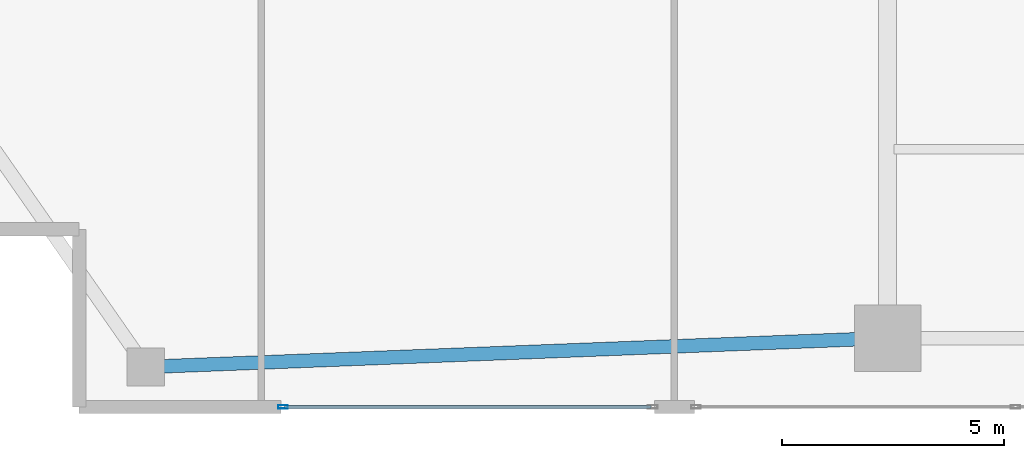
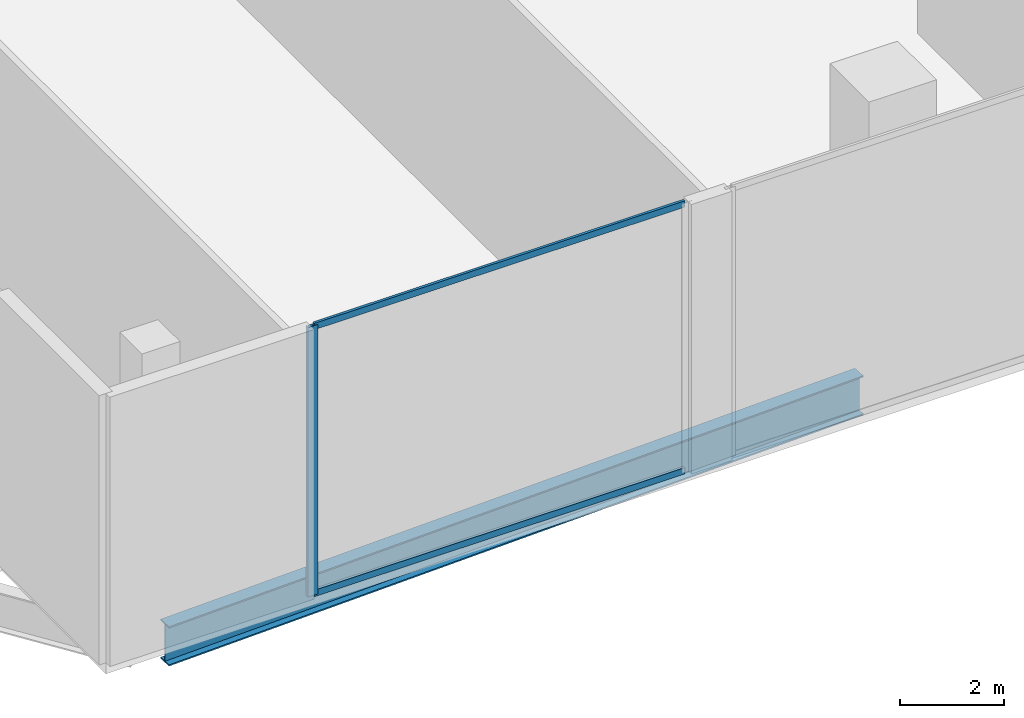
# One storey, part 2 of 30: 3 members, 1 beam, 1 element without a shape of its own.
"""IFC4 building model written with IfcOpenShell, lengths in metres."""

from ifc_helpers import new_model, si_unit, direction, frame, origin, origin_2d, place, context, subcontext, project, spatial, hollow_rectangle, i_section, extrude, material, layer, layer_set, material_profile, profile_set, type_object, element, aggregate, save


model = new_model("IFC4")

# Units and contexts
model_context = context("Model", 3, precision=1e-05, world=origin(), true_north=direction((0.0, 1.0)))
body_context = subcontext(model_context, "Body", "Model", "MODEL_VIEW")
ifc_project = project(units=[si_unit("LENGTHUNIT", "METRE"), si_unit("AREAUNIT", "SQUARE_METRE"), si_unit("VOLUMEUNIT", "CUBIC_METRE"), si_unit("PLANEANGLEUNIT", "RADIAN"), si_unit("MASSUNIT", "GRAM", prefix="KILO")], contexts=[model_context])

# Site, building, storey
site_placement = place(None, origin())
site = spatial("IfcSite", under=ifc_project, at=site_placement, CompositionType="ELEMENT")
building_placement = place(site_placement, origin())
building = spatial("IfcBuilding", under=site, at=building_placement, Name="Zuhayl Quay Hotel", CompositionType="ELEMENT")
storey_placement = place(building_placement, frame((0.0, 0.0, 11.39990234375)))
storey = spatial("IfcBuildingStorey", under=building, at=storey_placement, Name="L02", CompositionType="ELEMENT", Elevation=11.39990234375)

# Beam
ifc_material_1 = material(Name="Steel ASTM A992 Grade 50", Category="steel")
ifc_material_profile_1 = material_profile(ifc_material_1, i_section(OverallWidth=0.306884765625, OverallDepth=0.927001953125, WebThickness=0.019287109375, FlangeThickness=0.031982421875, at=origin_2d()), Name="W36X194")
ifc_profile_set_1 = profile_set([ifc_material_profile_1], Name="Steel ASTM A992 Grade 50")
beam_type = type_object("IfcBeamType", Name="BM_PG2_W36X194", PredefinedType="BEAM", material=ifc_profile_set_1)
beam_placement = place(storey_placement, frame((-30.160400390625, -23.0869140625, -0.723388671875), z_axis=(0.999243175194, 0.038898288239, 0.0), x_axis=(-0.038898288239, 0.999243175194, 0.0)))
element("IfcBeam", 1, at=beam_placement, inside=storey, type_object=beam_type, Name="L02 Floor Beam PG_S_L02_0", PredefinedType="BEAM", context=body_context, shape_type="SweptSolid", body=[
    extrude(i_section(OverallWidth=0.306884765625, OverallDepth=0.927001953125, WebThickness=0.019287109375, FlangeThickness=0.031982421875, at=origin_2d()), origin(), (0.0, 0.0, 1.0), 15.82275390625),
])

# Curtain wall, members
ifc_material_2 = material(Name="Anodised Aluminium 6063-T6", Category="aluminium")
ifc_layer = layer(ifc_material_2, 0.199951171875, Name="Anodised Aluminium 6063-T6", Category="aluminium")
ifc_layer_set = layer_set([ifc_layer], Name="Anodised Aluminium 6063-T6")
curtain_wall_type = type_object("IfcCurtainWallType", Name="CW_SYS_POD", PredefinedType="USERDEFINED", material=ifc_layer_set)
curtain_wall_placement = place(storey_placement, origin())
curtain_wall = element("IfcCurtainWall", 2, at=curtain_wall_placement, inside=storey, type_object=curtain_wall_type, Name="L02 Curtain Wall ENV_L02_E11_CW3", ObjectType="UNITISED CURTAIN WALL", PredefinedType="USERDEFINED")
ifc_material_3 = material(Name="Black-anodised aluminium 6063-T6", Category="aluminium")
ifc_material_profile_2 = material_profile(ifc_material_3, hollow_rectangle(XDim=0.074951171875, YDim=0.219970703125, WallThickness=0.00390625, at=origin_2d()), Name="ALU220X75")
ifc_profile_set_2 = profile_set([ifc_material_profile_2], Name="Black-anodised aluminium 6063-T6")
member_type_1 = type_object("IfcMemberType", Name="MB_CW_MUL_220", PredefinedType="MULLION", material=ifc_profile_set_2)
member_1_placement = place(storey_placement, frame((-27.41259765625, -24.0, 0.0), z_axis=(0.0, 0.0, 1.0), x_axis=(0.0, -1.0, 0.0)))
member_1 = element("IfcMember", 3, at=member_1_placement, type_object=member_type_1, Name="CW-POD mullion 2", PredefinedType="MULLION", context=body_context, shape_type="SweptSolid", body=[
    extrude(hollow_rectangle(XDim=0.074951171875, YDim=0.219970703125, WallThickness=0.00390625, at=origin_2d()), origin(), (0.0, 0.0, 1.0), 6.340087890625),
])
ifc_material_profile_3 = material_profile(ifc_material_3, hollow_rectangle(XDim=0.06005859375, YDim=0.14990234375, WallThickness=0.00341796875, at=origin_2d()), Name="ALU150X60")
ifc_profile_set_3 = profile_set([ifc_material_profile_3], Name="Black-anodised aluminium 6063-T6")
member_type_2 = type_object("IfcMemberType", Name="MB_CW_TRN_150", PredefinedType="USERDEFINED", material=ifc_profile_set_3)
member_2_placement = place(storey_placement, frame((-19.125, -24.0, 0.030029296875), z_axis=(-1.0, 0.0, 0.0), x_axis=(0.0, -1.0, 0.0)))
member_2 = element("IfcMember", 4, at=member_2_placement, type_object=member_type_2, Name="CW-POD transom 1.1", ObjectType="TRANSOM", PredefinedType="USERDEFINED", context=body_context, shape_type="SweptSolid", body=[
    extrude(hollow_rectangle(XDim=0.06005859375, YDim=0.14990234375, WallThickness=0.00341796875, at=origin_2d()), origin(), (0.0, 0.0, 1.0), 8.25),
])
member_3_placement = place(storey_placement, frame((-19.125, -24.0, 6.31005859375), z_axis=(-1.0, 0.0, 0.0), x_axis=(0.0, -1.0, 0.0)))
member_3 = element("IfcMember", 5, at=member_3_placement, type_object=member_type_2, Name="CW-POD transom 1.2", ObjectType="TRANSOM", PredefinedType="USERDEFINED", context=body_context, shape_type="SweptSolid", body=[
    extrude(hollow_rectangle(XDim=0.06005859375, YDim=0.14990234375, WallThickness=0.00341796875, at=origin_2d()), origin(), (0.0, 0.0, 1.0), 8.25),
])
aggregate(curtain_wall, [member_1, member_2, member_3])

save(model, "model.ifc")
